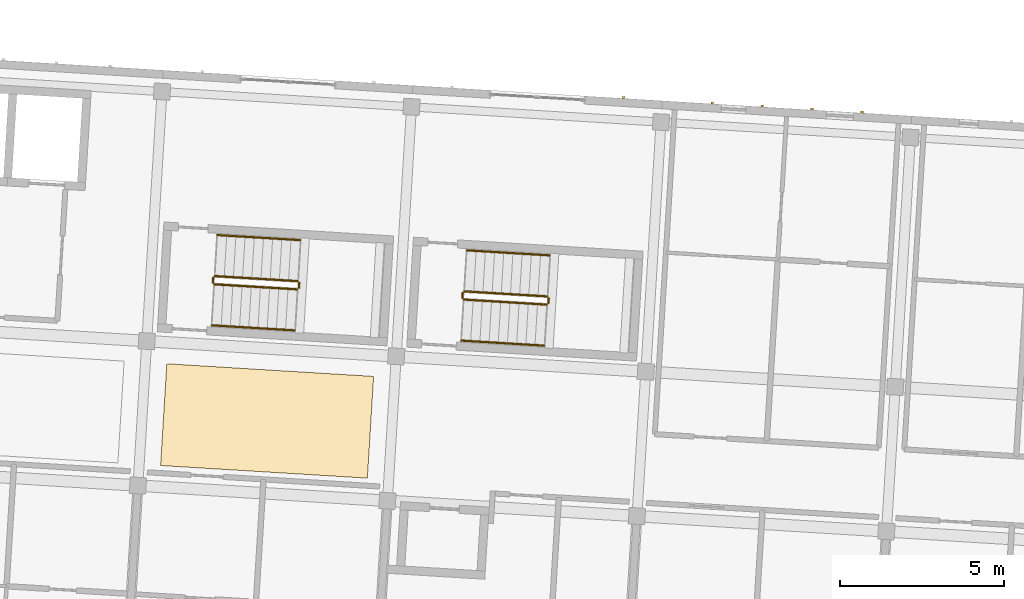
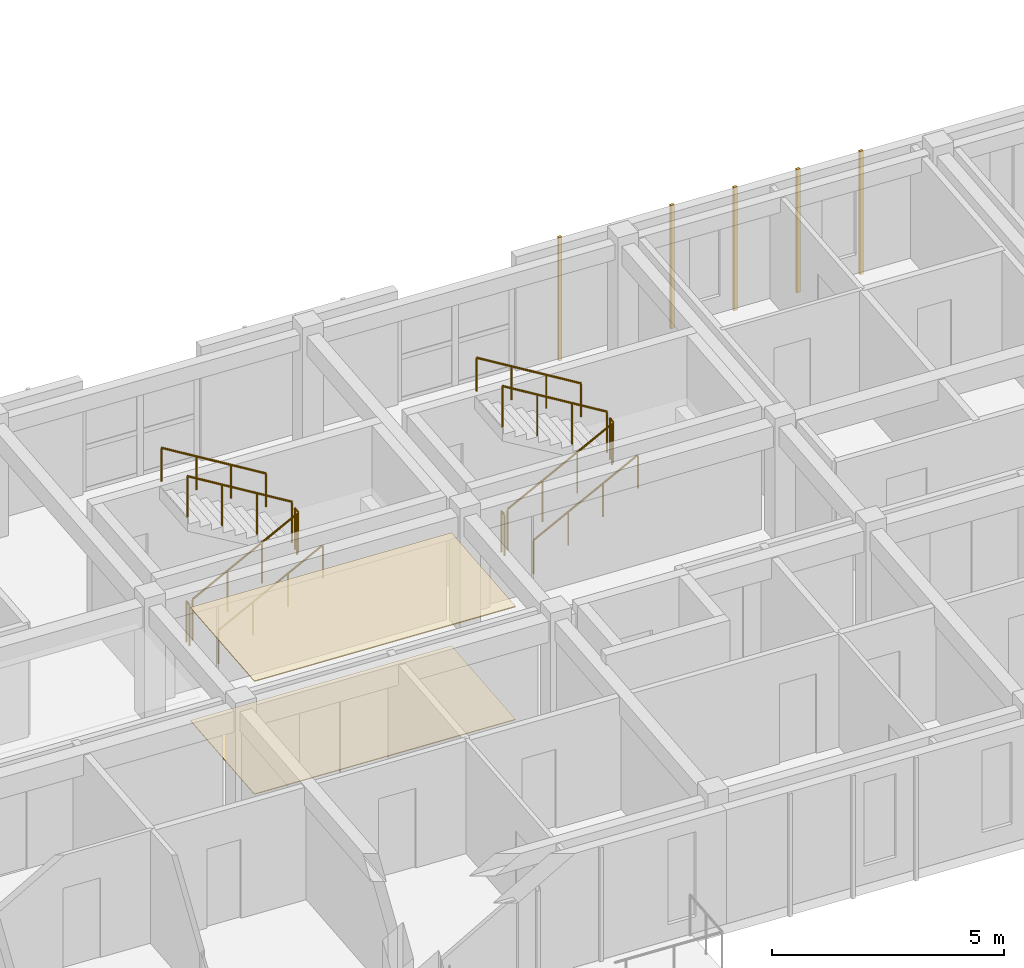
# One storey, part 53 of 68: 12 railings, 7 coverings.
"""IFC4 building model written with IfcOpenShell, lengths in metres."""

import ifcopenshell
import ifcopenshell.guid

model = None  # the IFC model being written
_history = None  # IfcOwnerHistory: only IFC2X3 demands one
_inside = {}  # id of a spatial element -> (the spatial element, [elements in it])
_under = {}  # id of a project, library or spatial element -> (it, [spatial elements below it])
_declared = {}  # id of a project -> (the project, [libraries it declares])
_typed = {}  # id of a type object -> (the type object, [elements of that type])
_made_of = {}  # id of a material, layer set ... -> (it, [elements and type objects made of it])


def new_model(schema):
    """Start an empty IFC model of exactly this schema.

    Asked for "IFC4X3", IfcOpenShell would pick the latest addendum, in which some entities
    have other attributes; the version numbers below select the first issue.
    IFC2X3 requires an IfcOwnerHistory on every rooted entity: one is made here for all.
    """
    global model, _history
    if schema == "IFC4X3":
        model = ifcopenshell.file(schema_version=(4, 3, 0, 0))
    else:
        model = ifcopenshell.file(schema=schema)
    _inside.clear()
    _under.clear()
    _declared.clear()
    _typed.clear()
    _made_of.clear()
    _history = None
    if model.schema == "IFC2X3":
        org = make("IfcOrganization", Name="unknown")
        user = make(
            "IfcPersonAndOrganization",
            ThePerson=make("IfcPerson", FamilyName="unknown"),
            TheOrganization=org,
        )
        app = make(
            "IfcApplication",
            ApplicationDeveloper=org,
            Version="unknown",
            ApplicationFullName="unknown",
            ApplicationIdentifier="unknown",
        )
        _history = make(
            "IfcOwnerHistory",
            OwningUser=user,
            OwningApplication=app,
            ChangeAction="ADDED",
            CreationDate=0,
        )
    return model


def make(cls, **values):
    """One entity of the class cls with the attributes given. An attribute that is None is left unset."""
    return model.create_entity(
        cls, **{name: value for name, value in values.items() if value is not None}
    )


def rooted(cls, **values):
    """An entity with a GlobalId (a new one), such as an element, a storey or a relation."""
    return make(cls, GlobalId=ifcopenshell.guid.new(), OwnerHistory=_history, **values)


def si_unit(unit_type, name, prefix=None):
    """IfcSIUnit, for example si_unit("LENGTHUNIT", "METRE", prefix="MILLI")."""
    return make("IfcSIUnit", UnitType=unit_type, Prefix=prefix, Name=name)


def assignment(units):
    """IfcUnitAssignment: the units of a project."""
    return None if units is None else make("IfcUnitAssignment", Units=units)


def point(xyz):
    """IfcCartesianPoint."""
    return None if xyz is None else make("IfcCartesianPoint", Coordinates=xyz)


def direction(xyz):
    """IfcDirection."""
    return None if xyz is None else make("IfcDirection", DirectionRatios=xyz)


def frame(location, z_axis=None, x_axis=None):
    """IfcAxis2Placement3D, a coordinate frame: its origin and axes. An axis left out is left unset."""
    return make(
        "IfcAxis2Placement3D",
        Location=point(location),
        Axis=direction(z_axis),
        RefDirection=direction(x_axis),
    )


def frame_2d(location, x_axis=None):
    """IfcAxis2Placement2D, a coordinate frame in the plane: its origin and x axis."""
    return make(
        "IfcAxis2Placement2D", Location=point(location), RefDirection=direction(x_axis)
    )


def origin():
    """The frame at (0, 0, 0) with its axes left unset."""
    return frame((0.0, 0.0, 0.0))


def origin_2d():
    """The frame at (0, 0) in the plane with its x axis left unset."""
    return frame_2d((0.0, 0.0))


def place(relative_to, where):
    """IfcLocalPlacement: puts the frame where relative to a parent placement (None: the world)."""
    return make(
        "IfcLocalPlacement", PlacementRelTo=relative_to, RelativePlacement=where
    )


def context(
    kind, dimensions, precision=None, world=None, true_north=None, identifier=None
):
    """IfcGeometricRepresentationContext, for example the 3D "Model" context."""
    return make(
        "IfcGeometricRepresentationContext",
        ContextIdentifier=identifier,
        ContextType=kind,
        CoordinateSpaceDimension=dimensions,
        Precision=precision,
        WorldCoordinateSystem=world,
        TrueNorth=true_north,
    )


def subcontext(parent, identifier, kind, view, scale=None):
    """IfcGeometricRepresentationSubContext, for example "Body" below "Model"."""
    return make(
        "IfcGeometricRepresentationSubContext",
        ContextIdentifier=identifier,
        ContextType=kind,
        ParentContext=parent,
        TargetScale=scale,
        TargetView=view,
    )


def project(units=None, contexts=None):
    """IfcProject with its units and contexts."""
    return rooted(
        "IfcProject",
        Name="project",
        RepresentationContexts=contexts,
        UnitsInContext=assignment(units),
    )


def spatial(cls, under=None, at=None, **own):
    """A site, building, storey or space (cls), placed at a placement, below another one or the project."""
    s = rooted(cls, ObjectPlacement=at, **own)
    if under is not None:
        _under.setdefault(under.id(), (under, []))[1].append(s)
    return s


def polyline(points):
    """IfcPolyline through the points."""
    return make("IfcPolyline", Points=[point(p) for p in points])


def profile(cls, at=None, kind="AREA", **sizes):
    """A parametric profile (cls). Its sizes go by their IFC names, for example OverallWidth=200.0."""
    return make(cls, ProfileType=kind, Position=at, **sizes)


def rectangle(**sizes):
    """IfcRectangleProfileDef."""
    return profile("IfcRectangleProfileDef", **sizes)


def circle(**sizes):
    """IfcCircleProfileDef."""
    return profile("IfcCircleProfileDef", **sizes)


def outline(outer, holes=None, kind="AREA"):
    """IfcArbitraryClosedProfileDef: a profile drawn as a closed curve; with holes, ...WithVoids."""
    if holes is None:
        return make("IfcArbitraryClosedProfileDef", ProfileType=kind, OuterCurve=outer)
    return make(
        "IfcArbitraryProfileDefWithVoids",
        ProfileType=kind,
        OuterCurve=outer,
        InnerCurves=holes,
    )


def extrude(swept, where, along, depth):
    """IfcExtrudedAreaSolid: the profile swept, set in the frame where, extruded along a direction by depth."""
    return make(
        "IfcExtrudedAreaSolid",
        SweptArea=swept,
        Position=where,
        ExtrudedDirection=direction(along),
        Depth=depth,
    )


def shape(context_of_items, identifier, shape_type, items):
    """IfcShapeRepresentation: the items that make up one representation, for example the "Body"."""
    return make(
        "IfcShapeRepresentation",
        ContextOfItems=context_of_items,
        RepresentationIdentifier=identifier,
        RepresentationType=shape_type,
        Items=items,
    )


def material(Name=None, Category=None):
    """IfcMaterial."""
    return make("IfcMaterial", Name=Name, Category=Category)


def layer(
    of_material, thickness, ventilated=None, Name=None, Category=None, Priority=None
):
    """IfcMaterialLayer: one layer of a wall or slab, of a material (None: an air gap)."""
    return make(
        "IfcMaterialLayer",
        Material=of_material,
        LayerThickness=thickness,
        IsVentilated=ventilated,
        Name=Name,
        Category=Category,
        Priority=Priority,
    )


def layer_set(layers, Name=None):
    """IfcMaterialLayerSet."""
    return make("IfcMaterialLayerSet", MaterialLayers=layers, LayerSetName=Name)


def made_of(thing, what):
    """Note that an element or type object is made of a material, layer set ...; save() writes the relation."""
    if what is not None:
        _made_of.setdefault(what.id(), (what, []))[1].append(thing)
    return thing


def type_object(cls, material=None, **own):
    """A type object (cls), such as IfcWallType, which elements share."""
    return made_of(rooted(cls, **own), material)


def element(
    cls,
    number,
    at=None,
    inside=None,
    cuts=None,
    type_object=None,
    material=None,
    context=None,
    identifier="Body",
    shape_type=None,
    held_by="IfcProductDefinitionShape",
    body=None,
    shapes=None,
    **own,
):
    """One element of the class cls, such as IfcWall. Its Tag is "e" and its number.

    at: its placement. inside: the storey or other place that contains it. cuts: it is an
    opening in that element (IfcRelVoidsElement). A single representation is given by context,
    identifier, shape_type and body (its items); several are given by shapes. held_by: the class
    of the entity that holds the representations. save() writes the other relations.
    """
    e = rooted(cls, Tag="e%d" % number, ObjectPlacement=at, **own)
    if body is not None:
        shapes = [shape(context, identifier, shape_type, body)]
    if shapes is not None:
        e.Representation = make(held_by, Representations=shapes)
    if inside is not None:
        _inside.setdefault(inside.id(), (inside, []))[1].append(e)
    if cuts is not None:
        rooted(
            "IfcRelVoidsElement", RelatingBuildingElement=cuts, RelatedOpeningElement=e
        )
    if type_object is not None:
        _typed.setdefault(type_object.id(), (type_object, []))[1].append(e)
    return made_of(e, material)


def aggregate(whole, parts):
    """IfcRelAggregates: a whole, such as a stair, and the parts it consists of."""
    return rooted("IfcRelAggregates", RelatingObject=whole, RelatedObjects=parts)


def save(model, path):
    """Write the relations noted so far, then the file.

    IfcRelAggregates (storeys below a building ...), IfcRelContainedInSpatialStructure (elements
    in a storey), IfcRelDefinesByType, IfcRelAssociatesMaterial and IfcRelDeclares: one each for
    every whole, place, type object, material and project.
    """
    for whole, parts in _under.values():
        aggregate(whole, parts)
    for where, things in _inside.values():
        rooted(
            "IfcRelContainedInSpatialStructure",
            RelatedElements=things,
            RelatingStructure=where,
        )
    for kind, things in _typed.values():
        rooted("IfcRelDefinesByType", RelatedObjects=things, RelatingType=kind)
    for what, things in _made_of.values():
        rooted("IfcRelAssociatesMaterial", RelatedObjects=things, RelatingMaterial=what)
    for by, libraries in _declared.values():
        rooted("IfcRelDeclares", RelatingContext=by, RelatedDefinitions=libraries)
    model.write(path)


model = new_model("IFC4")

# Units and contexts
model_context = context("Model", 3, precision=1e-05, world=origin(), true_north=direction((0.0, 1.0)))
body_context = subcontext(model_context, "Body", "Model", "MODEL_VIEW")
ifc_project = project(units=[si_unit("LENGTHUNIT", "METRE"), si_unit("AREAUNIT", "SQUARE_METRE"), si_unit("VOLUMEUNIT", "CUBIC_METRE"), si_unit("PLANEANGLEUNIT", "RADIAN"), si_unit("MASSUNIT", "GRAM", prefix="KILO")], contexts=[model_context])

# Site, building, storey
site_placement = place(None, origin())
site = spatial("IfcSite", under=ifc_project, at=site_placement, CompositionType="ELEMENT")
building_placement = place(site_placement, origin())
building = spatial("IfcBuilding", under=site, at=building_placement, Name="Kestramere Prow Commons", CompositionType="ELEMENT")
storey_placement = place(building_placement, frame((0.0, 0.0, 18.14990234375)))
storey = spatial("IfcBuildingStorey", under=building, at=storey_placement, Name="L05", CompositionType="ELEMENT", Elevation=18.14990234375)

# Coverings
ifc_material_1 = material(Name="Mineral Fibre Acoustic Ceiling Tile")
ifc_layer_1 = layer(ifc_material_1, 0.02490234375)
ifc_layer_set_1 = layer_set([ifc_layer_1], Name="Mineral Fibre Acoustic Ceiling Tile")
covering_type_1 = type_object("IfcCoveringType", Name="COV-CEIL-ACOUSTIC", PredefinedType="CEILING", material=ifc_layer_set_1)
covering_1_placement = place(storey_placement, frame((0.0, 0.0, 2.97509765625)))
element("IfcCovering", 1, at=covering_1_placement, inside=storey, type_object=covering_type_1, Name="Block C L05 Corridor Acoustic Ceiling 2", PredefinedType="CEILING", context=body_context, shape_type="SweptSolid", body=[
    extrude(outline(polyline([(68.23828125, 54.23095703125), (74.526611328125, 53.846435546875), (74.7158203125, 56.940673828125), (68.427490234375, 57.3251953125), (68.23828125, 54.23095703125)])), origin(), (0.0, 0.0, 1.0), 0.02490234375),
])
ifc_material_2 = material(Name="Weathered Zinc-Titanium Standing-Seam Cladding")
ifc_layer_2 = layer(ifc_material_2, 0.074951171875)
ifc_layer_set_2 = layer_set([ifc_layer_2], Name="Weathered Zinc-Titanium Standing-Seam Cladding")
covering_type_2 = type_object("IfcCoveringType", Name="COV-CLAD-SEAM", PredefinedType="CLADDING", material=ifc_layer_set_2)
for number, where, z_axis, x_axis, name in (
    (2, (82.31005859375, 65.420166015625, -0.25), (0.0, 0.0, 1.0), (0.998134798422, -0.061048539535, 0.0), "EW-C-L05-NP-2-R Standing-Seam Rib 1"),
    (3, (85.012451171875, 65.2548828125, -0.25), (0.0, 0.0, 1.0), (0.998134798422, -0.061048539535, 0.0), "EW-C-L05-N-3 Standing-Seam Rib 1"),
    (4, (86.52978515625, 65.162109375, -0.25), (0.0, 0.0, 1.0), (0.998134798422, -0.061048539535, 0.0), "EW-C-L05-N-3 Standing-Seam Rib 2"),
    (5, (88.046875, 65.0693359375, -0.25), (0.0, 0.0, 1.0), (0.998134798422, -0.061048539535, 0.0), "EW-C-L05-N-3 Standing-Seam Rib 3"),
    (6, (89.56396484375, 64.9765625, -0.25), (0.0, 0.0, 1.0), (0.998134798422, -0.061048539535, 0.0), "EW-C-L05-N-3 Standing-Seam Rib 4"),
):
    element("IfcCovering", number, at=place(storey_placement, frame(where, z_axis=z_axis, x_axis=x_axis)), inside=storey, type_object=covering_type_2, Name=name, PredefinedType="CLADDING", context=body_context, shape_type="SweptSolid", body=[
        extrude(rectangle(XDim=0.0849609375, YDim=0.06494140625, at=origin_2d()), origin(), (0.0, 0.0, 1.0), 3.25),
    ])
ifc_material_3 = material(Name="Honed Cementitious Terrazzo Tile")
ifc_layer_3 = layer(ifc_material_3, 0.02001953125)
ifc_layer_set_3 = layer_set([ifc_layer_3], Name="Honed Cementitious Terrazzo Tile")
covering_type_3 = type_object("IfcCoveringType", Name="COV-FLOOR-TERRAZZO", PredefinedType="FLOORING", material=ifc_layer_set_3)
covering_2_placement = place(storey_placement, origin())
element("IfcCovering", 7, at=covering_2_placement, inside=storey, type_object=covering_type_3, Name="Block C L05 Corridor Terrazzo Flooring 2", PredefinedType="FLOORING", context=body_context, shape_type="SweptSolid", body=[
    extrude(outline(polyline([(68.23828125, 54.23095703125), (74.526611328125, 53.846435546875), (74.7158203125, 56.940673828125), (68.427490234375, 57.3251953125), (68.23828125, 54.23095703125)])), origin(), (0.0, 0.0, 1.0), 0.02001953125),
])

# Railings
ifc_material_4 = material(Name="Galvanised Steel S275JR", Category="steel")
railing_type_1 = type_object("IfcRailingType", Name="RL-ST-GR-1100", PredefinedType="GUARDRAIL", material=ifc_material_4)
railing_1_placement = place(storey_placement, frame((69.877685546875, 59.7412109375, 0.16259765625)))
element("IfcRailing", 8, at=railing_1_placement, inside=storey, type_object=railing_type_1, Name="L05 ST-C1 stair guard 1", PredefinedType="GUARDRAIL", context=body_context, shape_type="SweptSolid", body=[
    extrude(circle(Radius=0.02392578125, at=origin_2d()), frame((0.0, 0.0, 1.076171875), z_axis=(0.863306038156, -0.052788780359, 0.501912371984), x_axis=(0.061033243939, 0.998135733823, 0.0)), (0.0, 0.0, 1.0), 2.91357421875),
    extrude(circle(Radius=0.02099609375, at=origin_2d()), origin(), (0.0, 0.0, 1.0), 1.052001953125),
    extrude(circle(Radius=0.02099609375, at=origin_2d()), frame((0.83837890625, -0.05126953125, 0.487548828125)), (0.0, 0.0, 1.0), 1.052001953125),
    extrude(circle(Radius=0.02099609375, at=origin_2d()), frame((1.677001953125, -0.1025390625, 0.974853515625)), (0.0, 0.0, 1.0), 1.052001953125),
    extrude(circle(Radius=0.02099609375, at=origin_2d()), frame((2.515380859375, -0.15380859375, 1.46240234375)), (0.0, 0.0, 1.0), 1.052001953125),
])
railing_2_placement = place(storey_placement, frame((72.446044921875, 59.63427734375, 1.625)))
element("IfcRailing", 9, at=railing_2_placement, inside=storey, type_object=railing_type_1, Name="L05 ST-C1 stair guard 2", PredefinedType="GUARDRAIL", context=body_context, shape_type="SweptSolid", body=[
    extrude(circle(Radius=0.02392578125, at=origin_2d()), frame((0.0, 0.0, 1.076171875), z_axis=(0.060249240593, 0.998183364422, 0.0), x_axis=(-0.998183364422, 0.060249240593, 0.0)), (0.0, 0.0, 1.0), 0.14990234375),
    extrude(circle(Radius=0.02099609375, at=origin_2d()), origin(), (0.0, 0.0, 1.0), 1.052001953125),
    extrude(circle(Radius=0.02099609375, at=origin_2d()), frame((0.009033203125, 0.149658203125, 0.0)), (0.0, 0.0, 1.0), 1.052001953125),
])
railing_3_placement = place(storey_placement, frame((72.408203125, 59.8369140625, 1.78759765625)))
element("IfcRailing", 10, at=railing_3_placement, inside=storey, type_object=railing_type_1, Name="L05 ST-C1 stair guard 3", PredefinedType="GUARDRAIL", context=body_context, shape_type="SweptSolid", body=[
    extrude(circle(Radius=0.02392578125, at=origin_2d()), frame((0.0, 0.0, 1.076171875), z_axis=(-0.863284693866, 0.052792599217, 0.501948681446), x_axis=(-0.061039146275, -0.998135372894, 0.0)), (0.0, 0.0, 1.0), 2.913330078125),
    extrude(circle(Radius=0.02099609375, at=origin_2d()), origin(), (0.0, 0.0, 1.0), 1.052001953125),
    extrude(circle(Radius=0.02099609375, at=origin_2d()), frame((-0.83837890625, 0.05126953125, 0.487548828125)), (0.0, 0.0, 1.0), 1.052001953125),
    extrude(circle(Radius=0.02099609375, at=origin_2d()), frame((-1.6767578125, 0.1025390625, 0.974853515625)), (0.0, 0.0, 1.0), 1.052001953125),
    extrude(circle(Radius=0.02099609375, at=origin_2d()), frame((-2.51513671875, 0.15380859375, 1.46240234375)), (0.0, 0.0, 1.0), 1.052001953125),
])
railing_4_placement = place(storey_placement, frame((69.830810546875, 59.794189453125, 0.0)))
element("IfcRailing", 11, at=railing_4_placement, inside=storey, type_object=railing_type_1, Name="L05 ST-C1 stair guard 4", PredefinedType="GUARDRAIL", context=body_context, shape_type="SweptSolid", body=[
    extrude(circle(Radius=0.02392578125, at=origin_2d()), frame((0.0, 0.0, 1.076171875), z_axis=(0.061871446683, 0.998084126758, 0.0), x_axis=(-0.998084126758, 0.061871446683, 0.0)), (0.0, 0.0, 1.0), 0.14990234375),
    extrude(circle(Radius=0.02099609375, at=origin_2d()), origin(), (0.0, 0.0, 1.0), 1.052001953125),
    extrude(circle(Radius=0.02099609375, at=origin_2d()), frame((0.00927734375, 0.149658203125, 0.0)), (0.0, 0.0, 1.0), 1.052001953125),
])
railing_5_placement = place(storey_placement, frame((77.463623046875, 59.277099609375, 0.16259765625)))
element("IfcRailing", 12, at=railing_5_placement, inside=storey, type_object=railing_type_1, Name="L05 ST-C2 stair guard 1", PredefinedType="GUARDRAIL", context=body_context, shape_type="SweptSolid", body=[
    extrude(circle(Radius=0.02392578125, at=origin_2d()), frame((0.0, 0.0, 1.076171875), z_axis=(0.863284693866, -0.052792599217, 0.501948681446), x_axis=(0.061039146275, 0.998135372894, 0.0)), (0.0, 0.0, 1.0), 2.913330078125),
    extrude(circle(Radius=0.02099609375, at=origin_2d()), origin(), (0.0, 0.0, 1.0), 1.052001953125),
    extrude(circle(Radius=0.02099609375, at=origin_2d()), frame((0.83837890625, -0.05126953125, 0.487548828125)), (0.0, 0.0, 1.0), 1.052001953125),
    extrude(circle(Radius=0.02099609375, at=origin_2d()), frame((1.6767578125, -0.1025390625, 0.974853515625)), (0.0, 0.0, 1.0), 1.052001953125),
    extrude(circle(Radius=0.02099609375, at=origin_2d()), frame((2.51513671875, -0.15380859375, 1.46240234375)), (0.0, 0.0, 1.0), 1.052001953125),
])
railing_6_placement = place(storey_placement, frame((80.03173828125, 59.170166015625, 1.625)))
element("IfcRailing", 13, at=railing_6_placement, inside=storey, type_object=railing_type_1, Name="L05 ST-C2 stair guard 2", PredefinedType="GUARDRAIL", context=body_context, shape_type="SweptSolid", body=[
    extrude(circle(Radius=0.02392578125, at=origin_2d()), frame((0.0, 0.0, 1.076171875), z_axis=(0.061871446683, 0.998084126758, 0.0), x_axis=(-0.998084126758, 0.061871446683, 0.0)), (0.0, 0.0, 1.0), 0.14990234375),
    extrude(circle(Radius=0.02099609375, at=origin_2d()), origin(), (0.0, 0.0, 1.0), 1.052001953125),
    extrude(circle(Radius=0.02099609375, at=origin_2d()), frame((0.00927734375, 0.149658203125, 0.0)), (0.0, 0.0, 1.0), 1.052001953125),
])
railing_7_placement = place(storey_placement, frame((79.994140625, 59.372802734375, 1.78759765625)))
element("IfcRailing", 14, at=railing_7_placement, inside=storey, type_object=railing_type_1, Name="L05 ST-C2 stair guard 3", PredefinedType="GUARDRAIL", context=body_context, shape_type="SweptSolid", body=[
    extrude(circle(Radius=0.02392578125, at=origin_2d()), frame((0.0, 0.0, 1.076171875), z_axis=(-0.863306038156, 0.052788780359, 0.501912371984), x_axis=(-0.061033243939, -0.998135733823, 0.0)), (0.0, 0.0, 1.0), 2.91357421875),
    extrude(circle(Radius=0.02099609375, at=origin_2d()), origin(), (0.0, 0.0, 1.0), 1.052001953125),
    extrude(circle(Radius=0.02099609375, at=origin_2d()), frame((-0.83837890625, 0.05126953125, 0.487548828125)), (0.0, 0.0, 1.0), 1.052001953125),
    extrude(circle(Radius=0.02099609375, at=origin_2d()), frame((-1.677001953125, 0.1025390625, 0.974853515625)), (0.0, 0.0, 1.0), 1.052001953125),
    extrude(circle(Radius=0.02099609375, at=origin_2d()), frame((-2.515380859375, 0.15380859375, 1.46240234375)), (0.0, 0.0, 1.0), 1.052001953125),
])
railing_8_placement = place(storey_placement, frame((77.416748046875, 59.330078125, 0.0)))
element("IfcRailing", 15, at=railing_8_placement, inside=storey, type_object=railing_type_1, Name="L05 ST-C2 stair guard 4", PredefinedType="GUARDRAIL", context=body_context, shape_type="SweptSolid", body=[
    extrude(circle(Radius=0.02392578125, at=origin_2d()), frame((0.0, 0.0, 1.076171875), z_axis=(0.060151470121, 0.998189260933, 0.0), x_axis=(-0.998189260933, 0.060151470121, 0.0)), (0.0, 0.0, 1.0), 0.150146484375),
    extrude(circle(Radius=0.02099609375, at=origin_2d()), origin(), (0.0, 0.0, 1.0), 1.052001953125),
    extrude(circle(Radius=0.02099609375, at=origin_2d()), frame((0.009033203125, 0.14990234375, 0.0)), (0.0, 0.0, 1.0), 1.052001953125),
])
ifc_material_5 = material(Name="Stainless Steel 304", Category="steel")
railing_type_2 = type_object("IfcRailingType", Name="RL-ST-HR-900", PredefinedType="HANDRAIL", material=ifc_material_5)
railing_9_placement = place(storey_placement, frame((69.801513671875, 58.493408203125, 0.3251953125)))
element("IfcRailing", 16, at=railing_9_placement, inside=storey, type_object=railing_type_2, Name="L05 ST-C1 stair handrail 1", PredefinedType="HANDRAIL", context=body_context, shape_type="SweptSolid", body=[
    extrude(circle(Radius=0.02392578125, at=origin_2d()), frame((0.0, 0.0, 0.8759765625), z_axis=(0.863284693866, -0.052792599217, 0.501948681446), x_axis=(0.061039146275, 0.998135372894, 0.0)), (0.0, 0.0, 1.0), 2.913330078125),
    extrude(circle(Radius=0.02099609375, at=origin_2d()), origin(), (0.0, 0.0, 1.0), 0.851806640625),
    extrude(circle(Radius=0.02099609375, at=origin_2d()), frame((0.83837890625, -0.05126953125, 0.487548828125)), (0.0, 0.0, 1.0), 0.851806640625),
    extrude(circle(Radius=0.02099609375, at=origin_2d()), frame((1.6767578125, -0.1025390625, 0.974853515625)), (0.0, 0.0, 1.0), 0.851806640625),
    extrude(circle(Radius=0.02099609375, at=origin_2d()), frame((2.51513671875, -0.15380859375, 1.46240234375)), (0.0, 0.0, 1.0), 0.851806640625),
])
railing_10_placement = place(storey_placement, frame((72.484619140625, 61.08447265625, 1.9501953125)))
element("IfcRailing", 17, at=railing_10_placement, inside=storey, type_object=railing_type_2, Name="L05 ST-C1 stair handrail 2", PredefinedType="HANDRAIL", context=body_context, shape_type="SweptSolid", body=[
    extrude(circle(Radius=0.02392578125, at=origin_2d()), frame((0.0, 0.0, 0.8759765625), z_axis=(-0.863306038156, 0.052788780359, 0.501912371984), x_axis=(-0.061033243939, -0.998135733823, 0.0)), (0.0, 0.0, 1.0), 2.91357421875),
    extrude(circle(Radius=0.02099609375, at=origin_2d()), origin(), (0.0, 0.0, 1.0), 0.851806640625),
    extrude(circle(Radius=0.02099609375, at=origin_2d()), frame((-0.83837890625, 0.05126953125, 0.487548828125)), (0.0, 0.0, 1.0), 0.851806640625),
    extrude(circle(Radius=0.02099609375, at=origin_2d()), frame((-1.677001953125, 0.1025390625, 0.974853515625)), (0.0, 0.0, 1.0), 0.851806640625),
    extrude(circle(Radius=0.02099609375, at=origin_2d()), frame((-2.515380859375, 0.15380859375, 1.46240234375)), (0.0, 0.0, 1.0), 0.851806640625),
])
railing_11_placement = place(storey_placement, frame((77.38720703125, 58.029541015625, 0.3251953125)))
element("IfcRailing", 18, at=railing_11_placement, inside=storey, type_object=railing_type_2, Name="L05 ST-C2 stair handrail 1", PredefinedType="HANDRAIL", context=body_context, shape_type="SweptSolid", body=[
    extrude(circle(Radius=0.02392578125, at=origin_2d()), frame((0.0, 0.0, 0.8759765625), z_axis=(0.863306038156, -0.052788780359, 0.501912371984), x_axis=(0.061033243939, 0.998135733823, 0.0)), (0.0, 0.0, 1.0), 2.91357421875),
    extrude(circle(Radius=0.02099609375, at=origin_2d()), origin(), (0.0, 0.0, 1.0), 0.851806640625),
    extrude(circle(Radius=0.02099609375, at=origin_2d()), frame((0.83837890625, -0.05126953125, 0.487548828125)), (0.0, 0.0, 1.0), 0.851806640625),
    extrude(circle(Radius=0.02099609375, at=origin_2d()), frame((1.677001953125, -0.1025390625, 0.974853515625)), (0.0, 0.0, 1.0), 0.851806640625),
    extrude(circle(Radius=0.02099609375, at=origin_2d()), frame((2.515380859375, -0.15380859375, 1.46240234375)), (0.0, 0.0, 1.0), 0.851806640625),
])
railing_12_placement = place(storey_placement, frame((80.0703125, 60.62060546875, 1.9501953125)))
element("IfcRailing", 19, at=railing_12_placement, inside=storey, type_object=railing_type_2, Name="L05 ST-C2 stair handrail 2", PredefinedType="HANDRAIL", context=body_context, shape_type="SweptSolid", body=[
    extrude(circle(Radius=0.02392578125, at=origin_2d()), frame((0.0, 0.0, 0.8759765625), z_axis=(-0.863284693866, 0.052792599217, 0.501948681446), x_axis=(-0.061039146275, -0.998135372894, 0.0)), (0.0, 0.0, 1.0), 2.913330078125),
    extrude(circle(Radius=0.02099609375, at=origin_2d()), origin(), (0.0, 0.0, 1.0), 0.851806640625),
    extrude(circle(Radius=0.02099609375, at=origin_2d()), frame((-0.83837890625, 0.05126953125, 0.487548828125)), (0.0, 0.0, 1.0), 0.851806640625),
    extrude(circle(Radius=0.02099609375, at=origin_2d()), frame((-1.6767578125, 0.1025390625, 0.974853515625)), (0.0, 0.0, 1.0), 0.851806640625),
    extrude(circle(Radius=0.02099609375, at=origin_2d()), frame((-2.51513671875, 0.15380859375, 1.46240234375)), (0.0, 0.0, 1.0), 0.851806640625),
])

save(model, "model.ifc")
